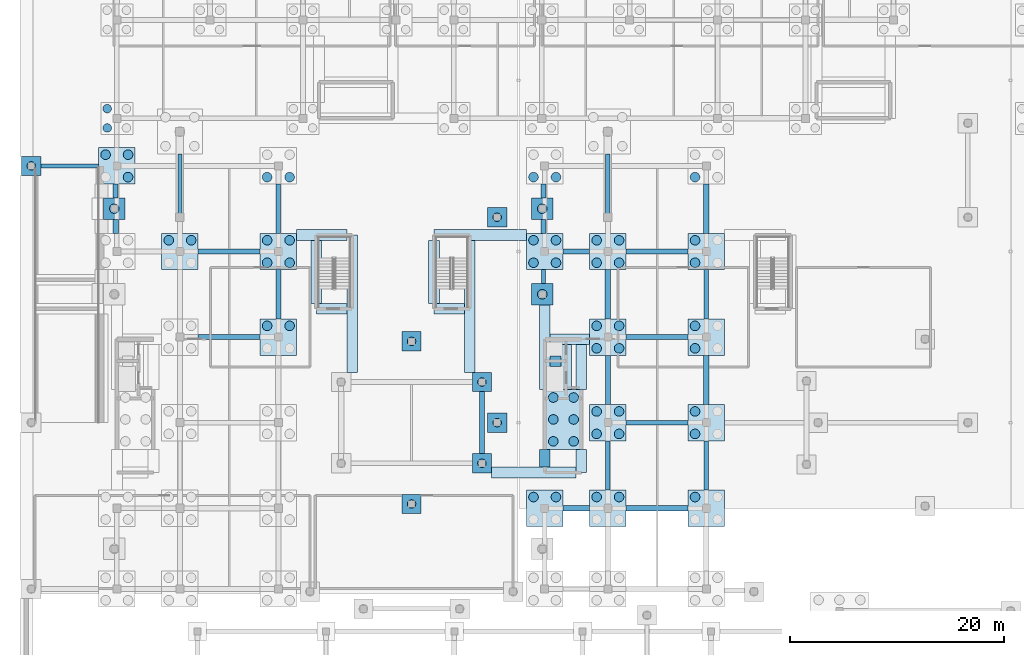
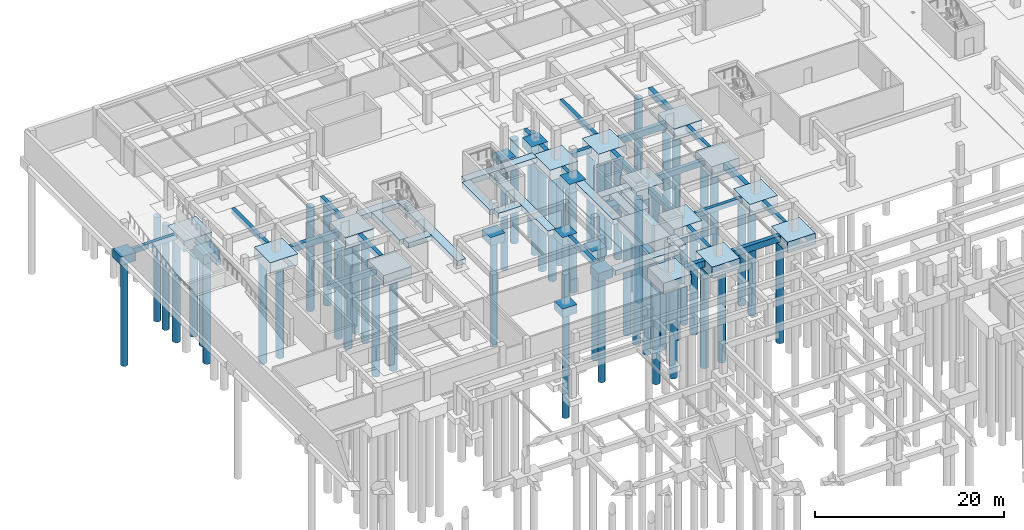
# One storey, part 5 of 35: 67 footings, 61 piles.
"""IFC4 building model written with IfcOpenShell, lengths in metres."""

from ifc_helpers import new_model, si_unit, direction, frame, origin, origin_2d, place, context, subcontext, project, spatial, rectangle, circle, extrude, material, material_profile, profile_set, type_object, element, save


model = new_model("IFC4")

# Units and contexts
model_context = context("Model", 3, precision=1e-05, world=origin(), true_north=direction((0.0, 1.0)))
body_context = subcontext(model_context, "Body", "Model", "MODEL_VIEW")
ifc_project = project(units=[si_unit("LENGTHUNIT", "METRE"), si_unit("AREAUNIT", "SQUARE_METRE"), si_unit("VOLUMEUNIT", "CUBIC_METRE"), si_unit("PLANEANGLEUNIT", "RADIAN"), si_unit("MASSUNIT", "GRAM", prefix="KILO")], contexts=[model_context])

# Site, building, storey
site_placement = place(None, origin())
site = spatial("IfcSite", under=ifc_project, at=site_placement, CompositionType="ELEMENT")
building_placement = place(site_placement, origin())
building = spatial("IfcBuilding", under=site, at=building_placement, Name="Keldmere Railside Commons", CompositionType="ELEMENT")
storey_placement = place(building_placement, frame((0.0, 0.0, -3.840087890625)))
storey = spatial("IfcBuildingStorey", under=building, at=storey_placement, Name="B1", CompositionType="ELEMENT", Elevation=-3.840087890625)

# Piles
ifc_material_1 = material(Name="Concrete H-30 (C30/37)", Category="concrete")
ifc_material_profile_1 = material_profile(ifc_material_1, circle(Radius=0.39990234375, at=origin_2d()), Name="PILE-D800")
ifc_profile_set_1 = profile_set([ifc_material_profile_1], Name="Concrete H-30 (C30/37)")
pile_type_1 = type_object("IfcPileType", Name="Bored Concrete Pile D800", PredefinedType="BORED", material=ifc_profile_set_1)
pile_1_placement = place(storey_placement, frame((0.449951171875, 96.0, -1.0), z_axis=(0.0, 0.0, -1.0), x_axis=(1.0, 0.0, 0.0)))
element("IfcPile", 1, at=pile_1_placement, inside=storey, type_object=pile_type_1, Name="BP-800 PILE-0031", PredefinedType="BORED", context=body_context, shape_type="SweptSolid", body=[
    extrude(circle(Radius=0.39990234375, at=origin_2d()), origin(), (0.0, 0.0, 1.0), 13.659912109375),
])
for number, where, z_axis, x_axis, name in (
    (2, (7.550048828125, 99.550048828125, -1.199951171875), (0.0, 0.0, -1.0), (1.0, 0.0, 0.0), "BP-800 PILE-0066"),
    (3, (7.550048828125, 101.35009765625, -1.199951171875), (0.0, 0.0, -1.0), (1.0, 0.0, 0.0), "BP-800 PILE-0069"),
):
    element("IfcPile", number, at=place(storey_placement, frame(where, z_axis=z_axis, x_axis=x_axis)), inside=storey, type_object=pile_type_1, Name=name, PredefinedType="BORED", context=body_context, shape_type="SweptSolid", body=[
        extrude(circle(Radius=0.39990234375, at=origin_2d()), origin(), (0.0, 0.0, 1.0), 13.4599609375),
    ])
for number, where, z_axis, x_axis, name in (
    (4, (36.0, 64.39990234375, -1.0), (0.0, 0.0, -1.0), (1.0, 0.0, 0.0), "BP-800 PILE-0189"),
    (5, (36.0, 79.60009765625, -1.0), (0.0, 0.0, -1.0), (1.0, 0.0, 0.0), "BP-800 PILE-0190"),
    (6, (42.58203125, 68.199951171875, -1.0), (0.0, 0.0, -1.0), (1.0, 0.0, 0.0), "BP-800 PILE-0214"),
    (7, (42.58203125, 75.800048828125, -1.0), (0.0, 0.0, -1.0), (1.0, 0.0, 0.0), "BP-800 PILE-0215"),
    (8, (44.0, 72.0, -1.0), (0.0, 0.0, -1.0), (1.0, 0.0, 0.0), "BP-800 PILE-0220"),
    (9, (44.0, 91.199951171875, -1.0), (0.0, 0.0, -1.0), (1.0, 0.0, 0.0), "BP-800 PILE-0221"),
):
    element("IfcPile", number, at=place(storey_placement, frame(where, z_axis=z_axis, x_axis=x_axis)), inside=storey, type_object=pile_type_1, Name=name, PredefinedType="BORED", context=body_context, shape_type="SweptSolid", body=[
        extrude(circle(Radius=0.39990234375, at=origin_2d()), origin(), (0.0, 0.0, 1.0), 13.659912109375),
    ])
ifc_material_profile_2 = material_profile(ifc_material_1, circle(Radius=0.449951171875, at=origin_2d()), Name="PILE-D900")
ifc_profile_set_2 = profile_set([ifc_material_profile_2], Name="Concrete H-30 (C30/37)")
pile_type_2 = type_object("IfcPileType", Name="Bored Concrete Pile D900", PredefinedType="BORED", material=ifc_profile_set_2)
for number, where, z_axis, x_axis, name in (
    (10, (51.14990234375, 70.25, -1.39990234375), (0.0, 0.0, -1.0), (1.0, 0.0, 0.0), "BP-900 PILE-0007"),
    (11, (51.14990234375, 72.300048828125, -1.39990234375), (0.0, 0.0, -1.0), (1.0, 0.0, 0.0), "BP-900 PILE-0008"),
    (12, (51.14990234375, 74.35009765625, -1.39990234375), (0.0, 0.0, -1.0), (1.0, 0.0, 0.0), "BP-900 PILE-0009"),
    (13, (49.25, 70.25, -1.39990234375), (0.0, 0.0, -1.0), (1.0, 0.0, 0.0), "BP-900 PILE-0010"),
    (14, (49.25, 72.300048828125, -1.39990234375), (0.0, 0.0, -1.0), (1.0, 0.0, 0.0), "BP-900 PILE-0011"),
    (15, (49.25, 74.35009765625, -1.39990234375), (0.0, 0.0, -1.0), (1.0, 0.0, 0.0), "BP-900 PILE-0012"),
):
    element("IfcPile", number, at=place(storey_placement, frame(where, z_axis=z_axis, x_axis=x_axis)), inside=storey, type_object=pile_type_2, Name=name, PredefinedType="BORED", context=body_context, shape_type="SweptSolid", body=[
        extrude(circle(Radius=0.449951171875, at=origin_2d()), origin(), (0.0, 0.0, 1.0), 13.260009765625),
    ])
pile_2_placement = place(storey_placement, frame((8.219970703125, 92.0, -1.099853515625), z_axis=(0.0, 0.0, -1.0), x_axis=(1.0, 0.0, 0.0)))
element("IfcPile", 16, at=pile_2_placement, inside=storey, type_object=pile_type_2, Name="BP-900 PILE-0039", PredefinedType="BORED", context=body_context, shape_type="SweptSolid", body=[
    extrude(circle(Radius=0.449951171875, at=origin_2d()), origin(), (0.0, 0.0, 1.0), 13.56005859375),
])
for number, where, z_axis, x_axis, name in (
    (17, (9.5, 94.949951171875, -1.2998046875), (0.0, 0.0, -1.0), (1.0, 0.0, 0.0), "BP-900 PILE-0063"),
    (18, (9.5, 97.050048828125, -1.2998046875), (0.0, 0.0, -1.0), (1.0, 0.0, 0.0), "BP-900 PILE-0064"),
    (19, (7.39990234375, 97.050048828125, -1.2998046875), (0.0, 0.0, -1.0), (1.0, 0.0, 0.0), "BP-900 PILE-0065"),
    (20, (15.39990234375, 89.050048828125, -1.2998046875), (0.0, 0.0, -1.0), (1.0, 0.0, 0.0), "BP-900 PILE-0096"),
    (21, (13.300048828125, 89.050048828125, -1.2998046875), (0.0, 0.0, -1.0), (1.0, 0.0, 0.0), "BP-900 PILE-0097"),
    (22, (24.60009765625, 81.050048828125, -1.2998046875), (0.0, 0.0, -1.0), (1.0, 0.0, 0.0), "BP-900 PILE-0136"),
    (23, (22.5, 81.050048828125, -1.2998046875), (0.0, 0.0, -1.0), (1.0, 0.0, 0.0), "BP-900 PILE-0137"),
    (24, (22.5, 86.949951171875, -1.2998046875), (0.0, 0.0, -1.0), (1.0, 0.0, 0.0), "BP-900 PILE-0138"),
    (25, (24.60009765625, 86.949951171875, -1.2998046875), (0.0, 0.0, -1.0), (1.0, 0.0, 0.0), "BP-900 PILE-0139"),
    (26, (24.60009765625, 89.050048828125, -1.2998046875), (0.0, 0.0, -1.0), (1.0, 0.0, 0.0), "BP-900 PILE-0140"),
    (27, (22.5, 89.050048828125, -1.2998046875), (0.0, 0.0, -1.0), (1.0, 0.0, 0.0), "BP-900 PILE-0141"),
    (28, (22.5, 94.949951171875, -1.2998046875), (0.0, 0.0, -1.0), (1.0, 0.0, 0.0), "BP-900 PILE-0142"),
    (29, (24.60009765625, 94.949951171875, -1.2998046875), (0.0, 0.0, -1.0), (1.0, 0.0, 0.0), "BP-900 PILE-0143"),
):
    element("IfcPile", number, at=place(storey_placement, frame(where, z_axis=z_axis, x_axis=x_axis)), inside=storey, type_object=pile_type_2, Name=name, PredefinedType="BORED", context=body_context, shape_type="SweptSolid", body=[
        extrude(circle(Radius=0.449951171875, at=origin_2d()), origin(), (0.0, 0.0, 1.0), 13.360107421875),
    ])
for number, where, z_axis, x_axis, name in (
    (30, (48.219970703125, 84.0, -1.099853515625), (0.0, 0.0, -1.0), (1.0, 0.0, 0.0), "BP-900 PILE-0237"),
    (31, (48.219970703125, 92.0, -1.099853515625), (0.0, 0.0, -1.0), (1.0, 0.0, 0.0), "BP-900 PILE-0238"),
):
    element("IfcPile", number, at=place(storey_placement, frame(where, z_axis=z_axis, x_axis=x_axis)), inside=storey, type_object=pile_type_2, Name=name, PredefinedType="BORED", context=body_context, shape_type="SweptSolid", body=[
        extrude(circle(Radius=0.449951171875, at=origin_2d()), origin(), (0.0, 0.0, 1.0), 13.56005859375),
    ])
for number, where, z_axis, x_axis, name in (
    (32, (49.5, 65.050048828125, -1.2998046875), (0.0, 0.0, -1.0), (1.0, 0.0, 0.0), "BP-900 PILE-0245"),
    (33, (47.39990234375, 65.050048828125, -1.2998046875), (0.0, 0.0, -1.0), (1.0, 0.0, 0.0), "BP-900 PILE-0246"),
    (34, (47.39990234375, 86.949951171875, -1.2998046875), (0.0, 0.0, -1.0), (1.0, 0.0, 0.0), "BP-900 PILE-0247"),
    (35, (49.5, 86.949951171875, -1.2998046875), (0.0, 0.0, -1.0), (1.0, 0.0, 0.0), "BP-900 PILE-0248"),
    (36, (49.5, 89.050048828125, -1.2998046875), (0.0, 0.0, -1.0), (1.0, 0.0, 0.0), "BP-900 PILE-0249"),
    (37, (47.39990234375, 89.050048828125, -1.2998046875), (0.0, 0.0, -1.0), (1.0, 0.0, 0.0), "BP-900 PILE-0250"),
    (38, (47.39990234375, 94.949951171875, -1.2998046875), (0.0, 0.0, -1.0), (1.0, 0.0, 0.0), "BP-900 PILE-0251"),
    (39, (49.5, 94.949951171875, -1.2998046875), (0.0, 0.0, -1.0), (1.0, 0.0, 0.0), "BP-900 PILE-0252"),
    (40, (55.39990234375, 65.050048828125, -1.2998046875), (0.0, 0.0, -1.0), (1.0, 0.0, 0.0), "BP-900 PILE-0264"),
    (41, (53.300048828125, 65.050048828125, -1.2998046875), (0.0, 0.0, -1.0), (1.0, 0.0, 0.0), "BP-900 PILE-0265"),
    (42, (53.300048828125, 70.949951171875, -1.2998046875), (0.0, 0.0, -1.0), (1.0, 0.0, 0.0), "BP-900 PILE-0266"),
    (43, (55.39990234375, 70.949951171875, -1.2998046875), (0.0, 0.0, -1.0), (1.0, 0.0, 0.0), "BP-900 PILE-0267"),
    (44, (55.39990234375, 73.050048828125, -1.2998046875), (0.0, 0.0, -1.0), (1.0, 0.0, 0.0), "BP-900 PILE-0268"),
    (45, (53.300048828125, 73.050048828125, -1.2998046875), (0.0, 0.0, -1.0), (1.0, 0.0, 0.0), "BP-900 PILE-0269"),
    (46, (53.300048828125, 78.949951171875, -1.2998046875), (0.0, 0.0, -1.0), (1.0, 0.0, 0.0), "BP-900 PILE-0270"),
    (47, (55.39990234375, 78.949951171875, -1.2998046875), (0.0, 0.0, -1.0), (1.0, 0.0, 0.0), "BP-900 PILE-0271"),
    (48, (55.39990234375, 81.050048828125, -1.2998046875), (0.0, 0.0, -1.0), (1.0, 0.0, 0.0), "BP-900 PILE-0272"),
    (49, (53.300048828125, 81.050048828125, -1.2998046875), (0.0, 0.0, -1.0), (1.0, 0.0, 0.0), "BP-900 PILE-0273"),
    (50, (53.300048828125, 86.949951171875, -1.2998046875), (0.0, 0.0, -1.0), (1.0, 0.0, 0.0), "BP-900 PILE-0274"),
    (51, (55.39990234375, 86.949951171875, -1.2998046875), (0.0, 0.0, -1.0), (1.0, 0.0, 0.0), "BP-900 PILE-0275"),
    (52, (55.39990234375, 89.050048828125, -1.2998046875), (0.0, 0.0, -1.0), (1.0, 0.0, 0.0), "BP-900 PILE-0276"),
    (53, (53.300048828125, 89.050048828125, -1.2998046875), (0.0, 0.0, -1.0), (1.0, 0.0, 0.0), "BP-900 PILE-0277"),
    (54, (62.5, 65.050048828125, -1.2998046875), (0.0, 0.0, -1.0), (1.0, 0.0, 0.0), "BP-900 PILE-0303"),
    (55, (62.5, 70.949951171875, -1.2998046875), (0.0, 0.0, -1.0), (1.0, 0.0, 0.0), "BP-900 PILE-0304"),
    (56, (62.5, 73.050048828125, -1.2998046875), (0.0, 0.0, -1.0), (1.0, 0.0, 0.0), "BP-900 PILE-0307"),
    (57, (62.5, 78.949951171875, -1.2998046875), (0.0, 0.0, -1.0), (1.0, 0.0, 0.0), "BP-900 PILE-0308"),
    (58, (62.5, 81.050048828125, -1.2998046875), (0.0, 0.0, -1.0), (1.0, 0.0, 0.0), "BP-900 PILE-0311"),
    (59, (62.5, 86.949951171875, -1.2998046875), (0.0, 0.0, -1.0), (1.0, 0.0, 0.0), "BP-900 PILE-0312"),
    (60, (62.5, 89.050048828125, -1.2998046875), (0.0, 0.0, -1.0), (1.0, 0.0, 0.0), "BP-900 PILE-0315"),
    (61, (62.5, 94.949951171875, -1.2998046875), (0.0, 0.0, -1.0), (1.0, 0.0, 0.0), "BP-900 PILE-0316"),
):
    element("IfcPile", number, at=place(storey_placement, frame(where, z_axis=z_axis, x_axis=x_axis)), inside=storey, type_object=pile_type_2, Name=name, PredefinedType="BORED", context=body_context, shape_type="SweptSolid", body=[
        extrude(circle(Radius=0.449951171875, at=origin_2d()), origin(), (0.0, 0.0, 1.0), 13.360107421875),
    ])

# Footings
ifc_material_2 = material(Name="Concrete H-40 (C40/50)", Category="concrete")
footing_type_1 = type_object("IfcFootingType", Name="Four-Pile Heavy Cap 3400x3400x1400", PredefinedType="PILE_CAP", material=ifc_material_2)
for number, where, z_axis, x_axis, name in (
    (62, (8.449951171875, 96.0, -1.39990234375), (0.0, 0.0, 1.0), (1.0, 0.0, 0.0), "PC-05 FTG-024"),
    (63, (14.35009765625, 88.0, -1.39990234375), (0.0, 0.0, 1.0), (1.0, 0.0, 0.0), "PC-05 FTG-032"),
    (64, (23.550048828125, 80.0, -1.39990234375), (0.0, 0.0, 1.0), (1.0, 0.0, 0.0), "PC-05 FTG-047"),
    (65, (23.550048828125, 88.0, -1.39990234375), (0.0, 0.0, 1.0), (1.0, 0.0, 0.0), "PC-05 FTG-048"),
    (66, (48.449951171875, 64.0, -1.39990234375), (0.0, 0.0, 1.0), (1.0, 0.0, 0.0), "PC-05 FTG-101"),
    (67, (48.449951171875, 88.0, -1.39990234375), (0.0, 0.0, 1.0), (1.0, 0.0, 0.0), "PC-05 FTG-102"),
    (68, (54.35009765625, 64.0, -1.39990234375), (0.0, 0.0, 1.0), (1.0, 0.0, 0.0), "PC-05 FTG-110"),
    (69, (54.35009765625, 72.0, -1.39990234375), (0.0, 0.0, 1.0), (1.0, 0.0, 0.0), "PC-05 FTG-111"),
    (70, (54.35009765625, 80.0, -1.39990234375), (0.0, 0.0, 1.0), (1.0, 0.0, 0.0), "PC-05 FTG-112"),
    (71, (54.35009765625, 88.0, -1.39990234375), (0.0, 0.0, 1.0), (1.0, 0.0, 0.0), "PC-05 FTG-113"),
    (72, (63.550048828125, 64.0, -1.39990234375), (0.0, 0.0, 1.0), (1.0, 0.0, 0.0), "PC-05 FTG-123"),
    (73, (63.550048828125, 72.0, -1.39990234375), (0.0, 0.0, 1.0), (1.0, 0.0, 0.0), "PC-05 FTG-124"),
    (74, (63.550048828125, 80.0, -1.39990234375), (0.0, 0.0, 1.0), (1.0, 0.0, 0.0), "PC-05 FTG-125"),
    (75, (63.550048828125, 88.0, -1.39990234375), (0.0, 0.0, 1.0), (1.0, 0.0, 0.0), "PC-05 FTG-126"),
):
    element("IfcFooting", number, at=place(storey_placement, frame(where, z_axis=z_axis, x_axis=x_axis)), inside=storey, type_object=footing_type_1, Name=name, PredefinedType="PILE_CAP", context=body_context, shape_type="SweptSolid", body=[
        extrude(rectangle(XDim=3.39990234375, YDim=3.39990234375, at=origin_2d()), origin(), (0.0, 0.0, 1.0), 1.39990234375),
    ])
footing_type_2 = type_object("IfcFootingType", Name="Perimeter Ground Tie Beam 400x650", PredefinedType="FOOTING_BEAM", material=ifc_material_2)
footing_1_placement = place(storey_placement, frame((4.050048828125, 96.0, -0.64990234375), z_axis=(0.0, 0.0, 1.0), x_axis=(1.0, 0.0, 0.0)))
element("IfcFooting", 76, at=footing_1_placement, inside=storey, type_object=footing_type_2, Name="GB-03 GB-002", PredefinedType="FOOTING_BEAM", context=body_context, shape_type="SweptSolid", body=[
    extrude(rectangle(XDim=5.39990234375, YDim=0.39990234375, at=origin_2d()), origin(), (0.0, 0.0, 1.0), 0.64990234375),
])
footing_2_placement = place(storey_placement, frame((14.35009765625, 93.39990234375, -0.64990234375), z_axis=(0.0, 0.0, 1.0), x_axis=(0.0, 1.0, 0.0)))
element("IfcFooting", 77, at=footing_2_placement, inside=storey, type_object=footing_type_2, Name="GB-03 GB-032", PredefinedType="FOOTING_BEAM", context=body_context, shape_type="SweptSolid", body=[
    extrude(rectangle(XDim=7.39990234375, YDim=0.39990234375, at=origin_2d()), origin(), (0.0, 0.0, 1.0), 0.64990234375),
])
footing_3_placement = place(storey_placement, frame((23.550048828125, 92.0, -0.64990234375), z_axis=(0.0, 0.0, 1.0), x_axis=(0.0, 1.0, 0.0)))
element("IfcFooting", 78, at=footing_3_placement, inside=storey, type_object=footing_type_2, Name="GB-03 GB-050", PredefinedType="FOOTING_BEAM", context=body_context, shape_type="SweptSolid", body=[
    extrude(rectangle(XDim=4.60009765625, YDim=0.39990234375, at=origin_2d()), origin(), (0.0, 0.0, 1.0), 0.64990234375),
])
footing_4_placement = place(storey_placement, frame((48.3349609375, 85.64990234375, -0.64990234375), z_axis=(0.0, 0.0, 1.0), x_axis=(0.0, 1.0, 0.0)))
element("IfcFooting", 79, at=footing_4_placement, inside=storey, type_object=footing_type_2, Name="GB-03 GB-095", PredefinedType="FOOTING_BEAM", context=body_context, shape_type="SweptSolid", body=[
    extrude(rectangle(XDim=1.300048828125, YDim=0.39990234375, at=origin_2d()), origin(), (0.0, 0.0, 1.0), 0.64990234375),
])
footing_5_placement = place(storey_placement, frame((54.35009765625, 68.0, -0.64990234375), z_axis=(0.0, 0.0, 1.0), x_axis=(0.0, 1.0, 0.0)))
element("IfcFooting", 80, at=footing_5_placement, inside=storey, type_object=footing_type_2, Name="GB-03 GB-107", PredefinedType="FOOTING_BEAM", context=body_context, shape_type="SweptSolid", body=[
    extrude(rectangle(XDim=4.60009765625, YDim=0.39990234375, at=origin_2d()), origin(), (0.0, 0.0, 1.0), 0.64990234375),
])
footing_6_placement = place(storey_placement, frame((58.949951171875, 72.0, -0.64990234375), z_axis=(0.0, 0.0, 1.0), x_axis=(1.0, 0.0, 0.0)))
element("IfcFooting", 81, at=footing_6_placement, inside=storey, type_object=footing_type_2, Name="GB-03 GB-110", PredefinedType="FOOTING_BEAM", context=body_context, shape_type="SweptSolid", body=[
    extrude(rectangle(XDim=5.800048828125, YDim=0.39990234375, at=origin_2d()), origin(), (0.0, 0.0, 1.0), 0.64990234375),
])
footing_7_placement = place(storey_placement, frame((54.35009765625, 93.39990234375, -0.64990234375), z_axis=(0.0, 0.0, 1.0), x_axis=(0.0, 1.0, 0.0)))
element("IfcFooting", 82, at=footing_7_placement, inside=storey, type_object=footing_type_2, Name="GB-03 GB-113", PredefinedType="FOOTING_BEAM", context=body_context, shape_type="SweptSolid", body=[
    extrude(rectangle(XDim=7.39990234375, YDim=0.39990234375, at=origin_2d()), origin(), (0.0, 0.0, 1.0), 0.64990234375),
])
for number, where, z_axis, x_axis, name in (
    (83, (63.550048828125, 68.0, -0.64990234375), (0.0, 0.0, 1.0), (0.0, 1.0, 0.0), "GB-03 GB-122"),
    (84, (63.550048828125, 84.0, -0.64990234375), (0.0, 0.0, 1.0), (0.0, 1.0, 0.0), "GB-03 GB-125"),
):
    element("IfcFooting", number, at=place(storey_placement, frame(where, z_axis=z_axis, x_axis=x_axis)), inside=storey, type_object=footing_type_2, Name=name, PredefinedType="FOOTING_BEAM", context=body_context, shape_type="SweptSolid", body=[
        extrude(rectangle(XDim=4.60009765625, YDim=0.39990234375, at=origin_2d()), origin(), (0.0, 0.0, 1.0), 0.64990234375),
    ])
footing_type_3 = type_object("IfcFootingType", Name="Primary Ground Tie Beam 500x800", PredefinedType="FOOTING_BEAM", material=ifc_material_2)
footing_8_placement = place(storey_placement, frame((8.3349609375, 90.35009765625, -0.7998046875), z_axis=(0.0, 0.0, 1.0), x_axis=(0.0, 1.0, 0.0)))
element("IfcFooting", 85, at=footing_8_placement, inside=storey, type_object=footing_type_3, Name="GB-01 GB-006", PredefinedType="FOOTING_BEAM", context=body_context, shape_type="SweptSolid", body=[
    extrude(rectangle(XDim=1.300048828125, YDim=0.5, at=origin_2d()), origin(), (0.0, 0.0, 1.0), 0.800048828125),
])
footing_9_placement = place(storey_placement, frame((18.949951171875, 88.0, -0.7998046875), z_axis=(0.0, 0.0, 1.0), x_axis=(1.0, 0.0, 0.0)))
element("IfcFooting", 86, at=footing_9_placement, inside=storey, type_object=footing_type_3, Name="GB-01 GB-033", PredefinedType="FOOTING_BEAM", context=body_context, shape_type="SweptSolid", body=[
    extrude(rectangle(XDim=5.800048828125, YDim=0.5, at=origin_2d()), origin(), (0.0, 0.0, 1.0), 0.800048828125),
])
footing_10_placement = place(storey_placement, frame((48.3349609375, 90.35009765625, -0.7998046875), z_axis=(0.0, 0.0, 1.0), x_axis=(0.0, 1.0, 0.0)))
element("IfcFooting", 87, at=footing_10_placement, inside=storey, type_object=footing_type_3, Name="GB-01 GB-096", PredefinedType="FOOTING_BEAM", context=body_context, shape_type="SweptSolid", body=[
    extrude(rectangle(XDim=1.300048828125, YDim=0.5, at=origin_2d()), origin(), (0.0, 0.0, 1.0), 0.800048828125),
])
footing_11_placement = place(storey_placement, frame((51.39990234375, 64.0, -0.7998046875), z_axis=(0.0, 0.0, 1.0), x_axis=(1.0, 0.0, 0.0)))
element("IfcFooting", 88, at=footing_11_placement, inside=storey, type_object=footing_type_3, Name="GB-01 GB-099", PredefinedType="FOOTING_BEAM", context=body_context, shape_type="SweptSolid", body=[
    extrude(rectangle(XDim=2.5, YDim=0.5, at=origin_2d()), origin(), (0.0, 0.0, 1.0), 0.800048828125),
])
footing_12_placement = place(storey_placement, frame((58.949951171875, 64.0, -0.7998046875), z_axis=(0.0, 0.0, 1.0), x_axis=(1.0, 0.0, 0.0)))
element("IfcFooting", 89, at=footing_12_placement, inside=storey, type_object=footing_type_3, Name="GB-01 GB-108", PredefinedType="FOOTING_BEAM", context=body_context, shape_type="SweptSolid", body=[
    extrude(rectangle(XDim=5.800048828125, YDim=0.5, at=origin_2d()), origin(), (0.0, 0.0, 1.0), 0.800048828125),
])
footing_13_placement = place(storey_placement, frame((54.35009765625, 84.0, -0.7998046875), z_axis=(0.0, 0.0, 1.0), x_axis=(0.0, 1.0, 0.0)))
element("IfcFooting", 90, at=footing_13_placement, inside=storey, type_object=footing_type_3, Name="GB-01 GB-111", PredefinedType="FOOTING_BEAM", context=body_context, shape_type="SweptSolid", body=[
    extrude(rectangle(XDim=4.60009765625, YDim=0.5, at=origin_2d()), origin(), (0.0, 0.0, 1.0), 0.800048828125),
])
footing_14_placement = place(storey_placement, frame((58.949951171875, 88.0, -0.7998046875), z_axis=(0.0, 0.0, 1.0), x_axis=(1.0, 0.0, 0.0)))
element("IfcFooting", 91, at=footing_14_placement, inside=storey, type_object=footing_type_3, Name="GB-01 GB-114", PredefinedType="FOOTING_BEAM", context=body_context, shape_type="SweptSolid", body=[
    extrude(rectangle(XDim=5.800048828125, YDim=0.5, at=origin_2d()), origin(), (0.0, 0.0, 1.0), 0.800048828125),
])
for number, where, z_axis, x_axis, name in (
    (92, (63.550048828125, 76.0, -0.7998046875), (0.0, 0.0, 1.0), (0.0, 1.0, 0.0), "GB-01 GB-123"),
    (93, (63.550048828125, 92.0, -0.7998046875), (0.0, 0.0, 1.0), (0.0, 1.0, 0.0), "GB-01 GB-126"),
):
    element("IfcFooting", number, at=place(storey_placement, frame(where, z_axis=z_axis, x_axis=x_axis)), inside=storey, type_object=footing_type_3, Name=name, PredefinedType="FOOTING_BEAM", context=body_context, shape_type="SweptSolid", body=[
        extrude(rectangle(XDim=4.60009765625, YDim=0.5, at=origin_2d()), origin(), (0.0, 0.0, 1.0), 0.800048828125),
    ])
footing_type_4 = type_object("IfcFootingType", Name="Ramp Wall Strip Footing 1000x650", PredefinedType="STRIP_FOOTING", material=ifc_material_2)
footing_15_placement = place(storey_placement, frame((51.8701171875, 68.425048828125, -0.64990234375), z_axis=(0.0, 0.0, 1.0), x_axis=(0.0, 1.0, 0.0)))
element("IfcFooting", 94, at=footing_15_placement, inside=storey, type_object=footing_type_4, Name="SF-02 WSF-045", PredefinedType="STRIP_FOOTING", context=body_context, shape_type="SweptSolid", body=[
    extrude(rectangle(XDim=2.14990234375, YDim=1.0, at=origin_2d()), origin(), (0.0, 0.0, 1.0), 0.64990234375),
])
footing_16_placement = place(storey_placement, frame((51.8701171875, 77.199951171875, -0.64990234375), z_axis=(0.0, 0.0, 1.0), x_axis=(0.0, 1.0, 0.0)))
element("IfcFooting", 95, at=footing_16_placement, inside=storey, type_object=footing_type_4, Name="SF-02 WSF-046", PredefinedType="STRIP_FOOTING", context=body_context, shape_type="SweptSolid", body=[
    extrude(rectangle(XDim=4.199951171875, YDim=1.0, at=origin_2d()), origin(), (0.0, 0.0, 1.0), 0.64990234375),
])
footing_17_placement = place(storey_placement, frame((49.4599609375, 77.75, -0.64990234375), z_axis=(0.0, 0.0, 1.0), x_axis=(1.0, 0.0, 0.0)))
element("IfcFooting", 96, at=footing_17_placement, inside=storey, type_object=footing_type_4, Name="SF-02 WSF-047", PredefinedType="STRIP_FOOTING", context=body_context, shape_type="SweptSolid", body=[
    extrude(rectangle(XDim=1.0, YDim=1.0, at=origin_2d()), origin(), (0.0, 0.0, 1.0), 0.64990234375),
])
footing_18_placement = place(storey_placement, frame((50.804931640625, 79.800048828125, -0.64990234375), z_axis=(0.0, 0.0, 1.0), x_axis=(1.0, 0.0, 0.0)))
element("IfcFooting", 97, at=footing_18_placement, inside=storey, type_object=footing_type_4, Name="SF-02 WSF-048", PredefinedType="STRIP_FOOTING", context=body_context, shape_type="SweptSolid", body=[
    extrude(rectangle(XDim=3.68994140625, YDim=1.0, at=origin_2d()), origin(), (0.0, 0.0, 1.0), 0.64990234375),
])
footing_19_placement = place(storey_placement, frame((47.426025390625, 67.35009765625, -0.64990234375), z_axis=(0.0, 0.0, 1.0), x_axis=(1.0, 0.0, 0.0)))
element("IfcFooting", 98, at=footing_19_placement, inside=storey, type_object=footing_type_4, Name="SF-02 WSF-049", PredefinedType="STRIP_FOOTING", context=body_context, shape_type="SweptSolid", body=[
    extrude(rectangle(XDim=7.887939453125, YDim=1.0, at=origin_2d()), origin(), (0.0, 0.0, 1.0), 0.64990234375),
])
footing_20_placement = place(storey_placement, frame((48.4599609375, 68.675048828125, -0.64990234375), z_axis=(0.0, 0.0, 1.0), x_axis=(0.0, 1.0, 0.0)))
element("IfcFooting", 99, at=footing_20_placement, inside=storey, type_object=footing_type_4, Name="SF-02 WSF-050", PredefinedType="STRIP_FOOTING", context=body_context, shape_type="SweptSolid", body=[
    extrude(rectangle(XDim=1.64990234375, YDim=1.0, at=origin_2d()), origin(), (0.0, 0.0, 1.0), 0.64990234375),
])
footing_21_placement = place(storey_placement, frame((48.4599609375, 79.050048828125, -0.64990234375), z_axis=(0.0, 0.0, 1.0), x_axis=(0.0, 1.0, 0.0)))
element("IfcFooting", 100, at=footing_21_placement, inside=storey, type_object=footing_type_4, Name="SF-02 WSF-051", PredefinedType="STRIP_FOOTING", context=body_context, shape_type="SweptSolid", body=[
    extrude(rectangle(XDim=7.89990234375, YDim=1.0, at=origin_2d()), origin(), (0.0, 0.0, 1.0), 0.64990234375),
])
footing_22_placement = place(storey_placement, frame((50.4599609375, 77.199951171875, -0.64990234375), z_axis=(0.0, 0.0, 1.0), x_axis=(0.0, 1.0, 0.0)))
element("IfcFooting", 101, at=footing_22_placement, inside=storey, type_object=footing_type_4, Name="SF-02 WSF-065", PredefinedType="STRIP_FOOTING", context=body_context, shape_type="SweptSolid", body=[
    extrude(rectangle(XDim=4.199951171875, YDim=1.0, at=origin_2d()), origin(), (0.0, 0.0, 1.0), 0.64990234375),
])
footing_23_placement = place(storey_placement, frame((30.449951171875, 83.125, -0.64990234375), z_axis=(0.0, 0.0, 1.0), x_axis=(0.0, 1.0, 0.0)))
element("IfcFooting", 102, at=footing_23_placement, inside=storey, type_object=footing_type_4, Name="SF-02 WSF-071", PredefinedType="STRIP_FOOTING", context=body_context, shape_type="SweptSolid", body=[
    extrude(rectangle(XDim=12.85009765625, YDim=1.0, at=origin_2d()), origin(), (0.0, 0.0, 1.0), 0.64990234375),
])
footing_24_placement = place(storey_placement, frame((27.60009765625, 89.550048828125, -0.64990234375), z_axis=(0.0, 0.0, 1.0), x_axis=(1.0, 0.0, 0.0)))
element("IfcFooting", 103, at=footing_24_placement, inside=storey, type_object=footing_type_4, Name="SF-02 WSF-072", PredefinedType="STRIP_FOOTING", context=body_context, shape_type="SweptSolid", body=[
    extrude(rectangle(XDim=4.699951171875, YDim=1.0, at=origin_2d()), origin(), (0.0, 0.0, 1.0), 0.64990234375),
])
footing_25_placement = place(storey_placement, frame((28.52490234375, 82.64990234375, -0.64990234375), z_axis=(0.0, 0.0, 1.0), x_axis=(1.0, 0.0, 0.0)))
element("IfcFooting", 104, at=footing_25_placement, inside=storey, type_object=footing_type_4, Name="SF-02 WSF-073", PredefinedType="STRIP_FOOTING", context=body_context, shape_type="SweptSolid", body=[
    extrude(rectangle(XDim=2.85009765625, YDim=1.0, at=origin_2d()), origin(), (0.0, 0.0, 1.0), 0.64990234375),
])
footing_26_placement = place(storey_placement, frame((27.10009765625, 86.10009765625, -0.64990234375), z_axis=(0.0, 0.0, 1.0), x_axis=(0.0, 1.0, 0.0)))
element("IfcFooting", 105, at=footing_26_placement, inside=storey, type_object=footing_type_4, Name="SF-02 WSF-074", PredefinedType="STRIP_FOOTING", context=body_context, shape_type="SweptSolid", body=[
    extrude(rectangle(XDim=5.89990234375, YDim=1.0, at=origin_2d()), origin(), (0.0, 0.0, 1.0), 0.64990234375),
])
footing_27_placement = place(storey_placement, frame((41.449951171875, 82.875, -0.64990234375), z_axis=(0.0, 0.0, 1.0), x_axis=(0.0, 1.0, 0.0)))
element("IfcFooting", 106, at=footing_27_placement, inside=storey, type_object=footing_type_4, Name="SF-02 WSF-075", PredefinedType="STRIP_FOOTING", context=body_context, shape_type="SweptSolid", body=[
    extrude(rectangle(XDim=12.35009765625, YDim=1.0, at=origin_2d()), origin(), (0.0, 0.0, 1.0), 0.64990234375),
])
footing_28_placement = place(storey_placement, frame((42.425048828125, 89.550048828125, -0.64990234375), z_axis=(0.0, 0.0, 1.0), x_axis=(1.0, 0.0, 0.0)))
element("IfcFooting", 107, at=footing_28_placement, inside=storey, type_object=footing_type_4, Name="SF-02 WSF-076", PredefinedType="STRIP_FOOTING", context=body_context, shape_type="SweptSolid", body=[
    extrude(rectangle(XDim=8.64990234375, YDim=1.0, at=origin_2d()), origin(), (0.0, 0.0, 1.0), 0.64990234375),
])
footing_29_placement = place(storey_placement, frame((39.52490234375, 82.64990234375, -0.64990234375), z_axis=(0.0, 0.0, 1.0), x_axis=(1.0, 0.0, 0.0)))
element("IfcFooting", 108, at=footing_29_placement, inside=storey, type_object=footing_type_4, Name="SF-02 WSF-077", PredefinedType="STRIP_FOOTING", context=body_context, shape_type="SweptSolid", body=[
    extrude(rectangle(XDim=2.85009765625, YDim=1.0, at=origin_2d()), origin(), (0.0, 0.0, 1.0), 0.64990234375),
])
footing_30_placement = place(storey_placement, frame((38.10009765625, 86.10009765625, -0.64990234375), z_axis=(0.0, 0.0, 1.0), x_axis=(0.0, 1.0, 0.0)))
element("IfcFooting", 109, at=footing_30_placement, inside=storey, type_object=footing_type_4, Name="SF-02 WSF-078", PredefinedType="STRIP_FOOTING", context=body_context, shape_type="SweptSolid", body=[
    extrude(rectangle(XDim=5.89990234375, YDim=1.0, at=origin_2d()), origin(), (0.0, 0.0, 1.0), 0.64990234375),
])
footing_type_5 = type_object("IfcFootingType", Name="Secondary Ground Tie Beam 450x700", PredefinedType="FOOTING_BEAM", material=ifc_material_2)
footing_31_placement = place(storey_placement, frame((8.3349609375, 93.64990234375, -0.69970703125), z_axis=(0.0, 0.0, 1.0), x_axis=(0.0, 1.0, 0.0)))
element("IfcFooting", 110, at=footing_31_placement, inside=storey, type_object=footing_type_5, Name="GB-02 GB-007", PredefinedType="FOOTING_BEAM", context=body_context, shape_type="SweptSolid", body=[
    extrude(rectangle(XDim=1.300048828125, YDim=0.449951171875, at=origin_2d()), origin(), (0.0, 0.0, 1.0), 0.699951171875),
])
footing_32_placement = place(storey_placement, frame((18.949951171875, 80.0, -0.69970703125), z_axis=(0.0, 0.0, 1.0), x_axis=(1.0, 0.0, 0.0)))
element("IfcFooting", 111, at=footing_32_placement, inside=storey, type_object=footing_type_5, Name="GB-02 GB-031", PredefinedType="FOOTING_BEAM", context=body_context, shape_type="SweptSolid", body=[
    extrude(rectangle(XDim=5.800048828125, YDim=0.449951171875, at=origin_2d()), origin(), (0.0, 0.0, 1.0), 0.699951171875),
])
footing_33_placement = place(storey_placement, frame((23.550048828125, 84.0, -0.69970703125), z_axis=(0.0, 0.0, 1.0), x_axis=(0.0, 1.0, 0.0)))
element("IfcFooting", 112, at=footing_33_placement, inside=storey, type_object=footing_type_5, Name="GB-02 GB-049", PredefinedType="FOOTING_BEAM", context=body_context, shape_type="SweptSolid", body=[
    extrude(rectangle(XDim=4.60009765625, YDim=0.449951171875, at=origin_2d()), origin(), (0.0, 0.0, 1.0), 0.699951171875),
])
footing_34_placement = place(storey_placement, frame((42.58203125, 72.0, -0.69970703125), z_axis=(0.0, 0.0, 1.0), x_axis=(0.0, 1.0, 0.0)))
element("IfcFooting", 113, at=footing_34_placement, inside=storey, type_object=footing_type_5, Name="GB-02 GB-085", PredefinedType="FOOTING_BEAM", context=body_context, shape_type="SweptSolid", body=[
    extrude(rectangle(XDim=5.800048828125, YDim=0.449951171875, at=origin_2d()), origin(), (0.0, 0.0, 1.0), 0.699951171875),
])
footing_35_placement = place(storey_placement, frame((48.3349609375, 93.64990234375, -0.69970703125), z_axis=(0.0, 0.0, 1.0), x_axis=(0.0, 1.0, 0.0)))
element("IfcFooting", 114, at=footing_35_placement, inside=storey, type_object=footing_type_5, Name="GB-02 GB-097", PredefinedType="FOOTING_BEAM", context=body_context, shape_type="SweptSolid", body=[
    extrude(rectangle(XDim=1.300048828125, YDim=0.449951171875, at=origin_2d()), origin(), (0.0, 0.0, 1.0), 0.699951171875),
])
footing_36_placement = place(storey_placement, frame((51.39990234375, 88.0, -0.69970703125), z_axis=(0.0, 0.0, 1.0), x_axis=(1.0, 0.0, 0.0)))
element("IfcFooting", 115, at=footing_36_placement, inside=storey, type_object=footing_type_5, Name="GB-02 GB-100", PredefinedType="FOOTING_BEAM", context=body_context, shape_type="SweptSolid", body=[
    extrude(rectangle(XDim=2.5, YDim=0.449951171875, at=origin_2d()), origin(), (0.0, 0.0, 1.0), 0.699951171875),
])
footing_37_placement = place(storey_placement, frame((54.35009765625, 76.0, -0.69970703125), z_axis=(0.0, 0.0, 1.0), x_axis=(0.0, 1.0, 0.0)))
element("IfcFooting", 116, at=footing_37_placement, inside=storey, type_object=footing_type_5, Name="GB-02 GB-109", PredefinedType="FOOTING_BEAM", context=body_context, shape_type="SweptSolid", body=[
    extrude(rectangle(XDim=4.60009765625, YDim=0.449951171875, at=origin_2d()), origin(), (0.0, 0.0, 1.0), 0.699951171875),
])
footing_38_placement = place(storey_placement, frame((58.949951171875, 80.0, -0.69970703125), z_axis=(0.0, 0.0, 1.0), x_axis=(1.0, 0.0, 0.0)))
element("IfcFooting", 117, at=footing_38_placement, inside=storey, type_object=footing_type_5, Name="GB-02 GB-112", PredefinedType="FOOTING_BEAM", context=body_context, shape_type="SweptSolid", body=[
    extrude(rectangle(XDim=5.800048828125, YDim=0.449951171875, at=origin_2d()), origin(), (0.0, 0.0, 1.0), 0.699951171875),
])
footing_type_6 = type_object("IfcFootingType", Name="Single-Pile Cap 1800x1800x1100", PredefinedType="PILE_CAP", material=ifc_material_2)
for number, where, z_axis, x_axis, name in (
    (118, (0.449951171875, 96.0, -1.099853515625), (0.0, 0.0, 1.0), (1.0, 0.0, 0.0), "PC-01 FTG-007"),
    (119, (36.0, 64.39990234375, -1.099853515625), (0.0, 0.0, 1.0), (1.0, 0.0, 0.0), "PC-01 FTG-071"),
    (120, (36.0, 79.60009765625, -1.099853515625), (0.0, 0.0, 1.0), (1.0, 0.0, 0.0), "PC-01 FTG-072"),
    (121, (42.58203125, 68.199951171875, -1.099853515625), (0.0, 0.0, 1.0), (1.0, 0.0, 0.0), "PC-01 FTG-084"),
    (122, (42.58203125, 75.800048828125, -1.099853515625), (0.0, 0.0, 1.0), (1.0, 0.0, 0.0), "PC-01 FTG-085"),
    (123, (44.0, 72.0, -1.099853515625), (0.0, 0.0, 1.0), (1.0, 0.0, 0.0), "PC-01 FTG-090"),
    (124, (44.0, 91.199951171875, -1.099853515625), (0.0, 0.0, 1.0), (1.0, 0.0, 0.0), "PC-01 FTG-091"),
):
    element("IfcFooting", number, at=place(storey_placement, frame(where, z_axis=z_axis, x_axis=x_axis)), inside=storey, type_object=footing_type_6, Name=name, PredefinedType="PILE_CAP", context=body_context, shape_type="SweptSolid", body=[
        extrude(rectangle(XDim=1.800048828125, YDim=1.800048828125, at=origin_2d()), origin(), (0.0, 0.0, 1.0), 1.10009765625),
    ])
footing_type_7 = type_object("IfcFootingType", Name="Single-Pile Cap 2000x2000x1200", PredefinedType="PILE_CAP", material=ifc_material_2)
for number, where, z_axis, x_axis, name in (
    (125, (8.219970703125, 92.0, -1.19970703125), (0.0, 0.0, 1.0), (1.0, 0.0, 0.0), "PC-02 FTG-015"),
    (126, (48.219970703125, 84.0, -1.19970703125), (0.0, 0.0, 1.0), (1.0, 0.0, 0.0), "PC-02 FTG-098"),
    (127, (48.219970703125, 92.0, -1.19970703125), (0.0, 0.0, 1.0), (1.0, 0.0, 0.0), "PC-02 FTG-099"),
):
    element("IfcFooting", number, at=place(storey_placement, frame(where, z_axis=z_axis, x_axis=x_axis)), inside=storey, type_object=footing_type_7, Name=name, PredefinedType="PILE_CAP", context=body_context, shape_type="SweptSolid", body=[
        extrude(rectangle(XDim=2.0, YDim=2.0, at=origin_2d()), origin(), (0.0, 0.0, 1.0), 1.199951171875),
    ])
footing_type_8 = type_object("IfcFootingType", Name="Six-Pile Shear-Wall Cap 5600x3200x1500", PredefinedType="PILE_CAP", material=ifc_material_2)
footing_39_placement = place(storey_placement, frame((50.199951171875, 72.300048828125, -1.5), z_axis=(0.0, 0.0, 1.0), x_axis=(0.0, 1.0, 0.0)))
element("IfcFooting", 128, at=footing_39_placement, inside=storey, type_object=footing_type_8, Name="PC-12 CAP-CORE-C1", PredefinedType="PILE_CAP", context=body_context, shape_type="SweptSolid", body=[
    extrude(rectangle(XDim=5.60009765625, YDim=3.199951171875, at=origin_2d()), origin(), (0.0, 0.0, 1.0), 1.5),
])

save(model, "model.ifc")
